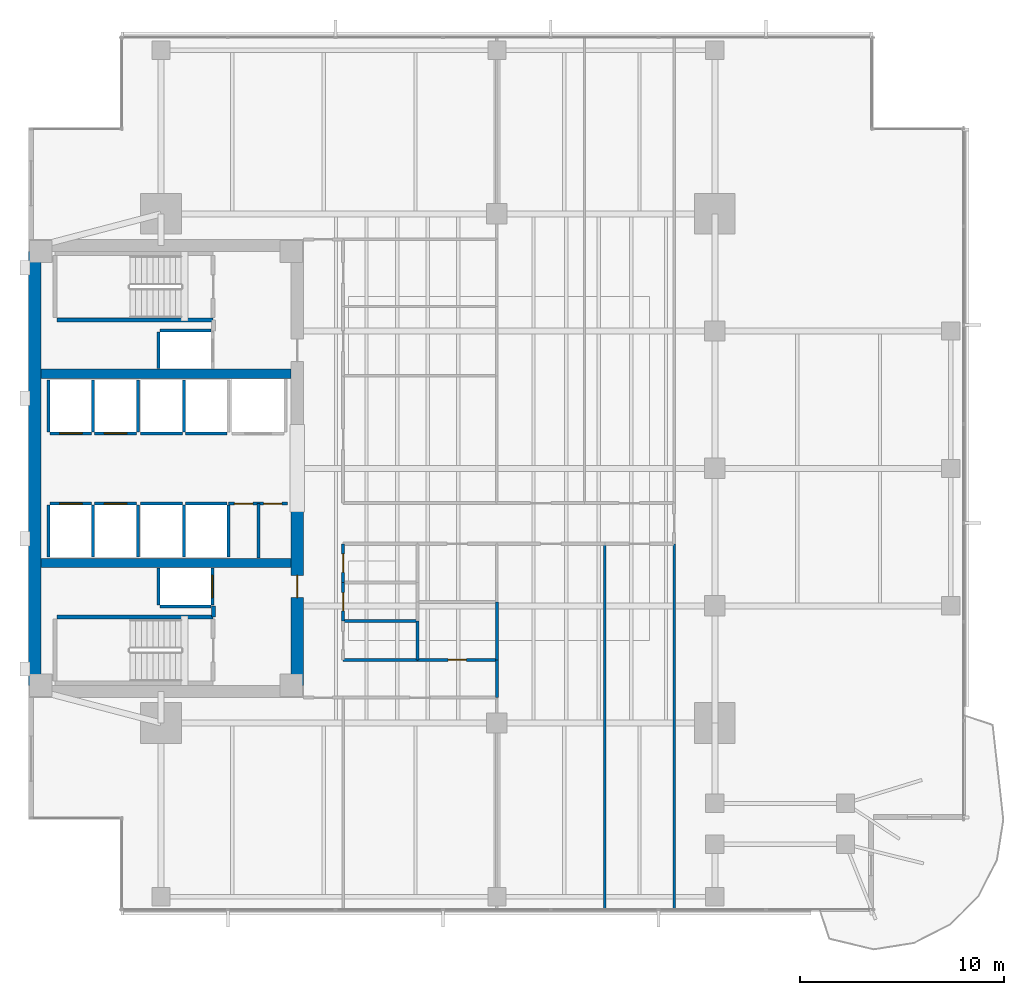
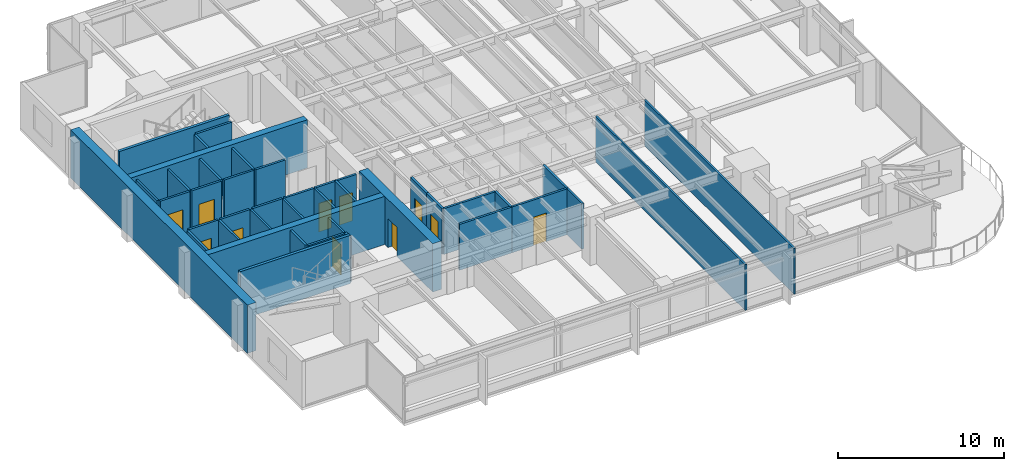
# One storey, part 8 of 14: 41 walls, 11 doors, 11 openings.
"""IFC4 building model written with IfcOpenShell, lengths in metres."""

from ifc_helpers import new_model, si_unit, direction, frame, frame_2d, origin, place, context, subcontext, project, spatial, rectangle, extrude, material, layer, layer_set, type_object, element, fill, save


model = new_model("IFC4")

# Units and contexts
model_context = context("Model", 3, precision=1e-05, world=origin(), true_north=direction((0.0, 1.0)))
body_context = subcontext(model_context, "Body", "Model", "MODEL_VIEW")
ifc_project = project(units=[si_unit("LENGTHUNIT", "METRE"), si_unit("AREAUNIT", "SQUARE_METRE"), si_unit("VOLUMEUNIT", "CUBIC_METRE"), si_unit("PLANEANGLEUNIT", "RADIAN"), si_unit("MASSUNIT", "GRAM", prefix="KILO")], contexts=[model_context])

# Site, building, storey
site_placement = place(None, origin())
site = spatial("IfcSite", under=ifc_project, at=site_placement, CompositionType="ELEMENT")
building_placement = place(site_placement, origin())
building = spatial("IfcBuilding", under=site, at=building_placement, Name="Kinhvarn Gate Tower", CompositionType="ELEMENT")
storey_placement = place(building_placement, frame((0.0, 0.0, 134.199951171875)))
storey = spatial("IfcBuildingStorey", under=building, at=storey_placement, Name="L35", CompositionType="ELEMENT", Elevation=134.199951171875)

# Walls
ifc_material_1 = material(Name="Concrete C50/60", Category="concrete")
ifc_layer_1 = layer(ifc_material_1, 0.449951171875)
ifc_layer_set_1 = layer_set([ifc_layer_1], Name="Concrete C50/60")
wall_type_1 = type_object("IfcWallType", Name="WL-CORE-450", PredefinedType="SHEAR", material=ifc_layer_set_1)
for number, where, z_axis, x_axis, name in (
    (1, (5.10009765625, 20.60009765625, 0.0), (0.0, 0.0, 1.0), (1.0, 0.0, 0.0), "Core South Spine Shear Wall L35 450 mm"),
    (2, (5.10009765625, 29.89990234375, 0.0), (0.0, 0.0, 1.0), (1.0, 0.0, 0.0), "Core North Spine Shear Wall L35 450 mm"),
):
    element("IfcWall", number, at=place(storey_placement, frame(where, z_axis=z_axis, x_axis=x_axis)), inside=storey, type_object=wall_type_1, Name=name, PredefinedType="SHEAR", context=body_context, shape_type="SweptSolid", body=[
        extrude(rectangle(XDim=12.2998046875, YDim=0.449951171875, at=frame_2d((6.14990234375, 0.0))), origin(), (0.0, 0.0, 1.0), 3.550048828125),
    ])

# Wall, opening, door
ifc_material_2 = material(Name="Concrete C60/75", Category="concrete")
ifc_layer_2 = layer(ifc_material_2, 0.60009765625)
ifc_layer_set_2 = layer_set([ifc_layer_2], Name="Concrete C60/75")
wall_type_2 = type_object("IfcWallType", Name="WL-CORE-600", PredefinedType="SHEAR", material=ifc_layer_set_2)
wall_1_placement = place(storey_placement, frame((17.699951171875, 14.60009765625, 0.0), z_axis=(0.0, 0.0, 1.0), x_axis=(0.0, 1.0, 0.0)))
wall_1 = element("IfcWall", 3, at=wall_1_placement, inside=storey, type_object=wall_type_2, Name="Core East-South Shear Pier L35 600 mm", PredefinedType="SHEAR", context=body_context, shape_type="SweptSolid", body=[
    extrude(rectangle(XDim=8.849853515625, YDim=0.60009765625, at=frame_2d((4.4248046875, 0.0))), origin(), (0.0, 0.0, 1.0), 3.550048828125),
])
opening_1_placement = place(wall_1_placement, frame((4.300048828125, 0.0, 0.0)))
opening_1 = element("IfcOpeningElement", 4, at=opening_1_placement, cuts=wall_1, Name="Opening FD-02", PredefinedType="OPENING", context=body_context, shape_type="SweptSolid", body=[
    extrude(rectangle(XDim=1.10009765625, YDim=2.14990234375, at=frame_2d((0.550048828125, 1.074951171875))), frame((0.0, 0.31005859375, 0.0), z_axis=(0.0, -1.0, 0.0), x_axis=(1.0, 0.0, 0.0)), (0.0, 0.0, 1.0), 0.6201171875),
])
ifc_material_3 = material(Name="Anodised aluminium AW-6063", Category="aluminium")
door_type_1 = type_object("IfcDoorType", Name="DR-FD-1100", OperationType="NOTDEFINED", PredefinedType="DOOR", material=ifc_material_3)
door_1_placement = place(opening_1_placement, origin())
door_1 = element("IfcDoor", 5, at=door_1_placement, inside=storey, type_object=door_type_1, Name="Firefighting Lobby Core Door (L35)", OperationType="SINGLE_SWING_RIGHT", OverallHeight=2.14990234375, OverallWidth=1.10009765625, PredefinedType="DOOR", context=body_context, shape_type="SweptSolid", body=[
    extrude(rectangle(XDim=1.10009765625, YDim=2.14990234375, at=frame_2d((0.550048828125, 1.074951171875))), frame((0.0, 0.02490234375, 0.0), z_axis=(0.0, -1.0, 0.0), x_axis=(1.0, 0.0, 0.0)), (0.0, 0.0, 1.0), 0.050048828125),
])
fill(opening_1, door_1)

# Walls
ifc_layer_3 = layer(ifc_material_2, 0.60009765625)
ifc_layer_set_3 = layer_set([ifc_layer_3], Name="Concrete C60/75")
wall_type_3 = type_object("IfcWallType", Name="WL-COREX-600", PredefinedType="SHEAR", material=ifc_layer_set_3)
wall_2_placement = place(storey_placement, frame((4.800048828125, 14.60009765625, 0.0), z_axis=(0.0, 0.0, 1.0), x_axis=(0.0, 1.0, 0.0)))
element("IfcWall", 6, at=wall_2_placement, inside=storey, type_object=wall_type_3, Name="Core West Shear Wall L35 600 mm", PredefinedType="SHEAR", context=body_context, shape_type="SweptSolid", body=[
    extrude(rectangle(XDim=21.2998046875, YDim=0.60009765625, at=frame_2d((10.64990234375, 0.0))), origin(), (0.0, 0.0, 1.0), 3.550048828125),
])
ifc_material_4 = material(Name="Gypsum acoustic partition board")
ifc_layer_4 = layer(ifc_material_4, 0.14990234375)
ifc_layer_set_4 = layer_set([ifc_layer_4], Name="Gypsum acoustic partition board")
wall_type_4 = type_object("IfcWallType", Name="WL-PLM-150", PredefinedType="PLUMBINGWALL", material=ifc_layer_set_4)
wall_3_placement = place(storey_placement, frame((19.949951171875, 17.75, 0.0), z_axis=(0.0, 0.0, 1.0), x_axis=(1.0, 0.0, 0.0)))
element("IfcWall", 7, at=wall_3_placement, inside=storey, type_object=wall_type_4, Name="Interior Partition PLW-150 (L35)", PredefinedType="PLUMBINGWALL", context=body_context, shape_type="SweptSolid", body=[
    extrude(rectangle(XDim=3.650146484375, YDim=0.14990234375, at=frame_2d((1.8251953125, 0.0))), origin(), (0.0, 0.0, 1.0), 3.3701171875),
])
wall_4_placement = place(storey_placement, frame((23.60009765625, 15.85009765625, 0.0), z_axis=(0.0, 0.0, 1.0), x_axis=(0.0, 1.0, 0.0)))
element("IfcWall", 8, at=wall_4_placement, inside=storey, type_object=wall_type_4, Name="Interior Partition PLW-150 (L35)", PredefinedType="PLUMBINGWALL", context=body_context, shape_type="SweptSolid", body=[
    extrude(rectangle(XDim=1.89990234375, YDim=0.14990234375, at=frame_2d((0.949951171875, 0.0))), origin(), (0.0, 0.0, 1.0), 3.3701171875),
])
wall_5_placement = place(storey_placement, frame((27.5, 15.85009765625, 0.0), z_axis=(0.0, 0.0, 1.0), x_axis=(0.0, 1.0, 0.0)))
element("IfcWall", 9, at=wall_5_placement, inside=storey, type_object=wall_type_4, Name="Interior Partition PLW-150 (L35)", PredefinedType="PLUMBINGWALL", context=body_context, shape_type="SweptSolid", body=[
    extrude(rectangle(XDim=2.849853515625, YDim=0.14990234375, at=frame_2d((1.4248046875, 0.0))), origin(), (0.0, 0.0, 1.0), 3.3701171875),
])

# Wall, opening, door
ifc_layer_5 = layer(ifc_material_4, 0.14990234375)
ifc_layer_set_5 = layer_set([ifc_layer_5], Name="Gypsum acoustic partition board")
wall_type_5 = type_object("IfcWallType", Name="WL-PLM-150F", PredefinedType="PLUMBINGWALL", material=ifc_layer_set_5)
wall_6_placement = place(storey_placement, frame((19.949951171875, 17.75, 0.0), z_axis=(0.0, 0.0, 1.0), x_axis=(0.0, 1.0, 0.0)))
wall_6 = element("IfcWall", 10, at=wall_6_placement, inside=storey, type_object=wall_type_5, Name="Interior Partition PLW-150F (L35)", PredefinedType="PLUMBINGWALL", context=body_context, shape_type="SweptSolid", body=[
    extrude(rectangle(XDim=1.89990234375, YDim=0.14990234375, at=frame_2d((0.949951171875, 0.0))), origin(), (0.0, 0.0, 1.0), 3.3701171875),
])
opening_2_placement = place(wall_6_placement, frame((0.5, 0.0, 0.0)))
opening_2 = element("IfcOpeningElement", 11, at=opening_2_placement, cuts=wall_6, Name="Opening FD-04", PredefinedType="OPENING", context=body_context, shape_type="SweptSolid", body=[
    extrude(rectangle(XDim=0.89990234375, YDim=2.10009765625, at=frame_2d((0.449951171875, 1.050048828125))), frame((0.0, 0.0849609375, 0.0), z_axis=(0.0, -1.0, 0.0), x_axis=(1.0, 0.0, 0.0)), (0.0, 0.0, 1.0), 0.169921875),
])
door_type_2 = type_object("IfcDoorType", Name="DR-FD-900", OperationType="NOTDEFINED", PredefinedType="DOOR", material=ifc_material_3)
door_2_placement = place(opening_2_placement, origin())
door_2 = element("IfcDoor", 12, at=door_2_placement, inside=storey, type_object=door_type_2, Name="Rated Riser & Service Closet Fire Door 900x2100 mm (L35)", OperationType="SINGLE_SWING_RIGHT", OverallHeight=2.10009765625, OverallWidth=0.89990234375, PredefinedType="DOOR", context=body_context, shape_type="SweptSolid", body=[
    extrude(rectangle(XDim=0.89990234375, YDim=2.10009765625, at=frame_2d((0.449951171875, 1.050048828125))), frame((0.0, 0.02490234375, 0.0), z_axis=(0.0, -1.0, 0.0), x_axis=(1.0, 0.0, 0.0)), (0.0, 0.0, 1.0), 0.050048828125),
])
fill(opening_2, door_2)

wall_7_placement = place(storey_placement, frame((19.949951171875, 19.64990234375, 0.0), z_axis=(0.0, 0.0, 1.0), x_axis=(0.0, 1.0, 0.0)))
wall_7 = element("IfcWall", 13, at=wall_7_placement, inside=storey, type_object=wall_type_5, Name="Interior Partition PLW-150F (L35)", PredefinedType="PLUMBINGWALL", context=body_context, shape_type="SweptSolid", body=[
    extrude(rectangle(XDim=1.900146484375, YDim=0.14990234375, at=frame_2d((0.9501953125, 0.0))), origin(), (0.0, 0.0, 1.0), 3.3701171875),
])
opening_3_placement = place(wall_7_placement, frame((0.5, 0.0, 0.0)))
opening_3 = element("IfcOpeningElement", 14, at=opening_3_placement, cuts=wall_7, Name="Opening FD-04", PredefinedType="OPENING", context=body_context, shape_type="SweptSolid", body=[
    extrude(rectangle(XDim=0.89990234375, YDim=2.10009765625, at=frame_2d((0.449951171875, 1.050048828125))), frame((0.0, 0.0849609375, 0.0), z_axis=(0.0, -1.0, 0.0), x_axis=(1.0, 0.0, 0.0)), (0.0, 0.0, 1.0), 0.169921875),
])
door_3_placement = place(opening_3_placement, origin())
door_3 = element("IfcDoor", 15, at=door_3_placement, inside=storey, type_object=door_type_2, Name="Rated Riser & Service Closet Fire Door 900x2100 mm (L35)", OperationType="SINGLE_SWING_LEFT", OverallHeight=2.10009765625, OverallWidth=0.89990234375, PredefinedType="DOOR", context=body_context, shape_type="SweptSolid", body=[
    extrude(rectangle(XDim=0.89990234375, YDim=2.10009765625, at=frame_2d((0.449951171875, 1.050048828125))), frame((0.0, 0.02490234375, 0.0), z_axis=(0.0, -1.0, 0.0), x_axis=(1.0, 0.0, 0.0)), (0.0, 0.0, 1.0), 0.050048828125),
])
fill(opening_3, door_3)

# Wall
wall_8_placement = place(storey_placement, frame((19.949951171875, 15.85009765625, 0.0), z_axis=(0.0, 0.0, 1.0), x_axis=(1.0, 0.0, 0.0)))
element("IfcWall", 16, at=wall_8_placement, inside=storey, type_object=wall_type_5, Name="Interior Partition PLW-150F (L35)", PredefinedType="PLUMBINGWALL", context=body_context, shape_type="SweptSolid", body=[
    extrude(rectangle(XDim=3.650146484375, YDim=0.14990234375, at=frame_2d((1.8251953125, 0.0))), origin(), (0.0, 0.0, 1.0), 3.3701171875),
])

# Wall, opening, door
wall_9_placement = place(storey_placement, frame((23.60009765625, 15.85009765625, 0.0), z_axis=(0.0, 0.0, 1.0), x_axis=(1.0, 0.0, 0.0)))
wall_9 = element("IfcWall", 17, at=wall_9_placement, inside=storey, type_object=wall_type_5, Name="Interior Partition PLW-150F (L35)", PredefinedType="PLUMBINGWALL", context=body_context, shape_type="SweptSolid", body=[
    extrude(rectangle(XDim=3.89990234375, YDim=0.14990234375, at=frame_2d((1.949951171875, 0.0))), origin(), (0.0, 0.0, 1.0), 3.3701171875),
])
opening_4_placement = place(wall_9_placement, frame((1.5, 0.0, 0.0)))
opening_4 = element("IfcOpeningElement", 18, at=opening_4_placement, cuts=wall_9, Name="Opening FD-04", PredefinedType="OPENING", context=body_context, shape_type="SweptSolid", body=[
    extrude(rectangle(XDim=0.89990234375, YDim=2.10009765625, at=frame_2d((0.449951171875, 1.050048828125))), frame((0.0, 0.0849609375, 0.0), z_axis=(0.0, -1.0, 0.0), x_axis=(1.0, 0.0, 0.0)), (0.0, 0.0, 1.0), 0.169921875),
])
door_4_placement = place(opening_4_placement, origin())
door_4 = element("IfcDoor", 19, at=door_4_placement, inside=storey, type_object=door_type_2, Name="Rated Riser & Service Closet Fire Door 900x2100 mm (L35)", OperationType="SINGLE_SWING_LEFT", OverallHeight=2.10009765625, OverallWidth=0.89990234375, PredefinedType="DOOR", context=body_context, shape_type="SweptSolid", body=[
    extrude(rectangle(XDim=0.89990234375, YDim=2.10009765625, at=frame_2d((0.449951171875, 1.050048828125))), frame((0.0, 0.02490234375, 0.0), z_axis=(0.0, -1.0, 0.0), x_axis=(1.0, 0.0, 0.0)), (0.0, 0.0, 1.0), 0.050048828125),
])
fill(opening_4, door_4)

# Walls
ifc_layer_6 = layer(ifc_material_4, 0.1201171875)
ifc_layer_set_6 = layer_set([ifc_layer_6], Name="Gypsum acoustic partition board")
wall_type_6 = type_object("IfcWallType", Name="WL-PRT-120", PredefinedType="PARTITIONING", material=ifc_layer_set_6)
for number, where, z_axis, x_axis, name in (
    (20, (32.800048828125, 3.510009765625, 0.0), (0.0, 0.0, 1.0), (0.0, 1.0, 0.0), "Interior Partition PW-120 (L35)"),
    (21, (36.199951171875, 3.510009765625, 0.0), (0.0, 0.0, 1.0), (0.0, 1.0, 0.0), "Interior Partition PW-120 (L35)"),
):
    element("IfcWall", number, at=place(storey_placement, frame(where, z_axis=z_axis, x_axis=x_axis)), inside=storey, type_object=wall_type_6, Name=name, PredefinedType="PARTITIONING", context=body_context, shape_type="SweptSolid", body=[
        extrude(rectangle(XDim=18.0400390625, YDim=0.1201171875, at=frame_2d((9.02001953125, 0.0))), origin(), (0.0, 0.0, 1.0), 3.3701171875),
    ])
ifc_layer_7 = layer(ifc_material_4, 0.14990234375)
ifc_layer_set_7 = layer_set([ifc_layer_7], Name="Gypsum acoustic partition board")
wall_type_7 = type_object("IfcWallType", Name="WL-PRT-150F", PredefinedType="PARTITIONING", material=ifc_layer_set_7)
wall_10_placement = place(storey_placement, frame((15.800048828125, 20.85009765625, 0.0), z_axis=(0.0, 0.0, 1.0), x_axis=(0.0, 1.0, 0.0)))
element("IfcWall", 22, at=wall_10_placement, inside=storey, type_object=wall_type_7, Name="Interior Partition PW-150F (L35)", PredefinedType="PARTITIONING", context=body_context, shape_type="SweptSolid", body=[
    extrude(rectangle(XDim=2.669921875, YDim=0.14990234375, at=frame_2d((1.3349609375, 0.0))), origin(), (0.0, 0.0, 1.0), 3.3701171875),
])

# Wall, openings, doors
wall_11_placement = place(storey_placement, frame((14.330078125, 23.52001953125, 0.0), z_axis=(0.0, 0.0, 1.0), x_axis=(1.0, 0.0, 0.0)))
wall_11 = element("IfcWall", 23, at=wall_11_placement, inside=storey, type_object=wall_type_7, Name="Interior Partition PW-150F (L35)", PredefinedType="PARTITIONING", context=body_context, shape_type="SweptSolid", body=[
    extrude(rectangle(XDim=2.889892578125, YDim=0.14990234375, at=frame_2d((1.44482421875, 0.0))), origin(), (0.0, 0.0, 1.0), 3.3701171875),
])
opening_5_placement = place(wall_11_placement, frame((0.280029296875, 0.0, 0.0)))
opening_5 = element("IfcOpeningElement", 24, at=opening_5_placement, cuts=wall_11, Name="Opening FD-04", PredefinedType="OPENING", context=body_context, shape_type="SweptSolid", body=[
    extrude(rectangle(XDim=0.89990234375, YDim=2.10009765625, at=frame_2d((0.449951171875, 1.050048828125))), frame((0.0, 0.0849609375, 0.0), z_axis=(0.0, -1.0, 0.0), x_axis=(1.0, 0.0, 0.0)), (0.0, 0.0, 1.0), 0.169921875),
])
opening_6_placement = place(wall_11_placement, frame((1.7099609375, 0.0, 0.0)))
opening_6 = element("IfcOpeningElement", 25, at=opening_6_placement, cuts=wall_11, Name="Opening FD-04", PredefinedType="OPENING", context=body_context, shape_type="SweptSolid", body=[
    extrude(rectangle(XDim=0.89990234375, YDim=2.10009765625, at=frame_2d((0.449951171875, 1.050048828125))), frame((0.0, 0.0849609375, 0.0), z_axis=(0.0, -1.0, 0.0), x_axis=(1.0, 0.0, 0.0)), (0.0, 0.0, 1.0), 0.169921875),
])
door_5_placement = place(opening_5_placement, origin())
door_5 = element("IfcDoor", 26, at=door_5_placement, inside=storey, type_object=door_type_2, Name="Rated Riser & Service Closet Fire Door 900x2100 mm (L35)", OperationType="SINGLE_SWING_LEFT", OverallHeight=2.10009765625, OverallWidth=0.89990234375, PredefinedType="DOOR", context=body_context, shape_type="SweptSolid", body=[
    extrude(rectangle(XDim=0.89990234375, YDim=2.10009765625, at=frame_2d((0.449951171875, 1.050048828125))), frame((0.0, 0.02490234375, 0.0), z_axis=(0.0, -1.0, 0.0), x_axis=(1.0, 0.0, 0.0)), (0.0, 0.0, 1.0), 0.050048828125),
])
fill(opening_5, door_5)
door_6_placement = place(opening_6_placement, origin())
door_6 = element("IfcDoor", 27, at=door_6_placement, inside=storey, type_object=door_type_2, Name="Rated Riser & Service Closet Fire Door 900x2100 mm (L35)", OperationType="SINGLE_SWING_RIGHT", OverallHeight=2.10009765625, OverallWidth=0.89990234375, PredefinedType="DOOR", context=body_context, shape_type="SweptSolid", body=[
    extrude(rectangle(XDim=0.89990234375, YDim=2.10009765625, at=frame_2d((0.449951171875, 1.050048828125))), frame((0.0, 0.02490234375, 0.0), z_axis=(0.0, -1.0, 0.0), x_axis=(1.0, 0.0, 0.0)), (0.0, 0.0, 1.0), 0.050048828125),
])
fill(opening_6, door_6)

# Walls
wall_12_placement = place(storey_placement, frame((27.5, 14.0, 0.0), z_axis=(0.0, 0.0, 1.0), x_axis=(0.0, 1.0, 0.0)))
element("IfcWall", 28, at=wall_12_placement, inside=storey, type_object=wall_type_7, Name="Interior Partition PW-150F (L35)", PredefinedType="PARTITIONING", context=body_context, shape_type="SweptSolid", body=[
    extrude(rectangle(XDim=1.85009765625, YDim=0.14990234375, at=frame_2d((0.925048828125, 0.0))), origin(), (0.0, 0.0, 1.0), 3.3701171875),
])
ifc_layer_8 = layer(ifc_material_4, 0.199951171875)
ifc_layer_set_8 = layer_set([ifc_layer_8], Name="Gypsum acoustic partition board")
wall_type_8 = type_object("IfcWallType", Name="WL-PRT-200", PredefinedType="PARTITIONING", material=ifc_layer_set_8)
wall_13_placement = place(storey_placement, frame((13.580078125, 17.9599609375, 0.0), z_axis=(0.0, 0.0, 1.0), x_axis=(0.0, 1.0, 0.0)))
element("IfcWall", 29, at=wall_13_placement, inside=storey, type_object=wall_type_8, Name="Interior Partition PW-200 (L35)", PredefinedType="PARTITIONING", context=body_context, shape_type="SweptSolid", body=[
    extrude(rectangle(XDim=0.5400390625, YDim=0.199951171875, at=frame_2d((0.27001953125, 0.0))), origin(), (0.0, 0.0, 1.0), 3.3701171875),
])

# Wall, opening, door
ifc_layer_9 = layer(ifc_material_4, 0.14990234375)
ifc_layer_set_9 = layer_set([ifc_layer_9], Name="Gypsum acoustic partition board")
wall_type_9 = type_object("IfcWallType", Name="WL-SHF-150", PredefinedType="PARTITIONING", material=ifc_layer_set_9)
wall_14_placement = place(storey_placement, frame((5.550048828125, 23.52490234375, 0.0), z_axis=(0.0, 0.0, 1.0), x_axis=(1.0, 0.0, 0.0)))
wall_14 = element("IfcWall", 30, at=wall_14_placement, inside=storey, type_object=wall_type_9, Name="Elevator PM-05 Landing Wall (L35)", PredefinedType="PARTITIONING", context=body_context, shape_type="SweptSolid", body=[
    extrude(rectangle(XDim=2.050048828125, YDim=0.14990234375, at=frame_2d((1.02490234375, 0.0))), origin(), (0.0, 0.0, 1.0), 3.3701171875),
])
opening_7_placement = place(wall_14_placement, frame((0.47509765625, 0.0, 0.0)))
opening_7 = element("IfcOpeningElement", 31, at=opening_7_placement, cuts=wall_14, Name="Opening LD-01", PredefinedType="OPENING", context=body_context, shape_type="SweptSolid", body=[
    extrude(rectangle(XDim=1.10009765625, YDim=2.199951171875, at=frame_2d((0.550048828125, 1.10009765625))), frame((0.0, 0.0849609375, 0.0), z_axis=(0.0, -1.0, 0.0), x_axis=(1.0, 0.0, 0.0)), (0.0, 0.0, 1.0), 0.169921875),
])
door_type_3 = type_object("IfcDoorType", Name="DR-LND-PAS", OperationType="NOTDEFINED", PredefinedType="DOOR", material=ifc_material_3)
door_7_placement = place(opening_7_placement, origin())
door_7 = element("IfcDoor", 32, at=door_7_placement, inside=storey, type_object=door_type_3, Name="Elevator PM-05 Sliding Landing Door (L35)", OperationType="DOUBLE_DOOR_SLIDING", OverallHeight=2.199951171875, OverallWidth=1.10009765625, PredefinedType="DOOR", context=body_context, shape_type="SweptSolid", body=[
    extrude(rectangle(XDim=1.10009765625, YDim=2.199951171875, at=frame_2d((0.550048828125, 1.10009765625))), frame((0.0, 0.02490234375, 0.0), z_axis=(0.0, -1.0, 0.0), x_axis=(1.0, 0.0, 0.0)), (0.0, 0.0, 1.0), 0.050048828125),
])
fill(opening_7, door_7)

# Walls
for number, where, z_axis, x_axis, name in (
    (33, (5.47509765625, 20.89990234375, 0.0), (0.0, 0.0, 1.0), (0.0, 1.0, 0.0), "Elevator PM-05 Hoistway Wall W (L35)"),
    (34, (7.675048828125, 20.89990234375, 0.0), (0.0, 0.0, 1.0), (0.0, 1.0, 0.0), "Elevator PM-05 Hoistway Wall E (L35)"),
):
    element("IfcWall", number, at=place(storey_placement, frame(where, z_axis=z_axis, x_axis=x_axis)), inside=storey, type_object=wall_type_9, Name=name, PredefinedType="PARTITIONING", context=body_context, shape_type="SweptSolid", body=[
        extrude(rectangle(XDim=2.550048828125, YDim=0.14990234375, at=frame_2d((1.27490234375, 0.0))), origin(), (0.0, 0.0, 1.0), 3.3701171875),
    ])

# Wall, opening, door
wall_15_placement = place(storey_placement, frame((7.75, 23.52490234375, 0.0), z_axis=(0.0, 0.0, 1.0), x_axis=(1.0, 0.0, 0.0)))
wall_15 = element("IfcWall", 35, at=wall_15_placement, inside=storey, type_object=wall_type_9, Name="Elevator PM-06 Landing Wall (L35)", PredefinedType="PARTITIONING", context=body_context, shape_type="SweptSolid", body=[
    extrude(rectangle(XDim=2.050048828125, YDim=0.14990234375, at=frame_2d((1.02490234375, 0.0))), origin(), (0.0, 0.0, 1.0), 3.3701171875),
])
opening_8_placement = place(wall_15_placement, frame((0.47509765625, 0.0, 0.0)))
opening_8 = element("IfcOpeningElement", 36, at=opening_8_placement, cuts=wall_15, Name="Opening LD-01", PredefinedType="OPENING", context=body_context, shape_type="SweptSolid", body=[
    extrude(rectangle(XDim=1.10009765625, YDim=2.199951171875, at=frame_2d((0.550048828125, 1.10009765625))), frame((0.0, 0.0849609375, 0.0), z_axis=(0.0, -1.0, 0.0), x_axis=(1.0, 0.0, 0.0)), (0.0, 0.0, 1.0), 0.169921875),
])
door_8_placement = place(opening_8_placement, origin())
door_8 = element("IfcDoor", 37, at=door_8_placement, inside=storey, type_object=door_type_3, Name="Elevator PM-06 Sliding Landing Door (L35)", OperationType="DOUBLE_DOOR_SLIDING", OverallHeight=2.199951171875, OverallWidth=1.10009765625, PredefinedType="DOOR", context=body_context, shape_type="SweptSolid", body=[
    extrude(rectangle(XDim=1.10009765625, YDim=2.199951171875, at=frame_2d((0.550048828125, 1.10009765625))), frame((0.0, 0.02490234375, 0.0), z_axis=(0.0, -1.0, 0.0), x_axis=(1.0, 0.0, 0.0)), (0.0, 0.0, 1.0), 0.050048828125),
])
fill(opening_8, door_8)

# Wall
wall_16_placement = place(storey_placement, frame((9.875, 20.89990234375, 0.0), z_axis=(0.0, 0.0, 1.0), x_axis=(0.0, 1.0, 0.0)))
element("IfcWall", 38, at=wall_16_placement, inside=storey, type_object=wall_type_9, Name="Elevator PM-06 Hoistway Wall E (L35)", PredefinedType="PARTITIONING", context=body_context, shape_type="SweptSolid", body=[
    extrude(rectangle(XDim=2.550048828125, YDim=0.14990234375, at=frame_2d((1.27490234375, 0.0))), origin(), (0.0, 0.0, 1.0), 3.3701171875),
])

# Wall, opening, door
wall_17_placement = place(storey_placement, frame((5.550048828125, 26.97509765625, 0.0), z_axis=(0.0, 0.0, 1.0), x_axis=(1.0, 0.0, 0.0)))
wall_17 = element("IfcWall", 39, at=wall_17_placement, inside=storey, type_object=wall_type_9, Name="Elevator PM-07 Landing Wall (L35)", PredefinedType="PARTITIONING", context=body_context, shape_type="SweptSolid", body=[
    extrude(rectangle(XDim=2.050048828125, YDim=0.14990234375, at=frame_2d((1.02490234375, 0.0))), origin(), (0.0, 0.0, 1.0), 3.3701171875),
])
opening_9_placement = place(wall_17_placement, frame((0.47509765625, 0.0, 0.0)))
opening_9 = element("IfcOpeningElement", 40, at=opening_9_placement, cuts=wall_17, Name="Opening LD-01", PredefinedType="OPENING", context=body_context, shape_type="SweptSolid", body=[
    extrude(rectangle(XDim=1.10009765625, YDim=2.199951171875, at=frame_2d((0.550048828125, 1.10009765625))), frame((0.0, 0.0849609375, 0.0), z_axis=(0.0, -1.0, 0.0), x_axis=(1.0, 0.0, 0.0)), (0.0, 0.0, 1.0), 0.169921875),
])
door_9_placement = place(opening_9_placement, origin())
door_9 = element("IfcDoor", 41, at=door_9_placement, inside=storey, type_object=door_type_3, Name="Elevator PM-07 Sliding Landing Door (L35)", OperationType="DOUBLE_DOOR_SLIDING", OverallHeight=2.199951171875, OverallWidth=1.10009765625, PredefinedType="DOOR", context=body_context, shape_type="SweptSolid", body=[
    extrude(rectangle(XDim=1.10009765625, YDim=2.199951171875, at=frame_2d((0.550048828125, 1.10009765625))), frame((0.0, 0.02490234375, 0.0), z_axis=(0.0, -1.0, 0.0), x_axis=(1.0, 0.0, 0.0)), (0.0, 0.0, 1.0), 0.050048828125),
])
fill(opening_9, door_9)

# Walls
for number, where, z_axis, x_axis, name in (
    (42, (5.47509765625, 27.050048828125, 0.0), (0.0, 0.0, 1.0), (0.0, 1.0, 0.0), "Elevator PM-07 Hoistway Wall W (L35)"),
    (43, (7.675048828125, 27.050048828125, 0.0), (0.0, 0.0, 1.0), (0.0, 1.0, 0.0), "Elevator PM-07 Hoistway Wall E (L35)"),
):
    element("IfcWall", number, at=place(storey_placement, frame(where, z_axis=z_axis, x_axis=x_axis)), inside=storey, type_object=wall_type_9, Name=name, PredefinedType="PARTITIONING", context=body_context, shape_type="SweptSolid", body=[
        extrude(rectangle(XDim=2.550048828125, YDim=0.14990234375, at=frame_2d((1.27490234375, 0.0))), origin(), (0.0, 0.0, 1.0), 3.3701171875),
    ])

# Wall, opening, door
wall_18_placement = place(storey_placement, frame((7.75, 26.97509765625, 0.0), z_axis=(0.0, 0.0, 1.0), x_axis=(1.0, 0.0, 0.0)))
wall_18 = element("IfcWall", 44, at=wall_18_placement, inside=storey, type_object=wall_type_9, Name="Elevator PM-08 Landing Wall (L35)", PredefinedType="PARTITIONING", context=body_context, shape_type="SweptSolid", body=[
    extrude(rectangle(XDim=2.050048828125, YDim=0.14990234375, at=frame_2d((1.02490234375, 0.0))), origin(), (0.0, 0.0, 1.0), 3.3701171875),
])
opening_10_placement = place(wall_18_placement, frame((0.47509765625, 0.0, 0.0)))
opening_10 = element("IfcOpeningElement", 45, at=opening_10_placement, cuts=wall_18, Name="Opening LD-01", PredefinedType="OPENING", context=body_context, shape_type="SweptSolid", body=[
    extrude(rectangle(XDim=1.10009765625, YDim=2.199951171875, at=frame_2d((0.550048828125, 1.10009765625))), frame((0.0, 0.0849609375, 0.0), z_axis=(0.0, -1.0, 0.0), x_axis=(1.0, 0.0, 0.0)), (0.0, 0.0, 1.0), 0.169921875),
])
door_10_placement = place(opening_10_placement, origin())
door_10 = element("IfcDoor", 46, at=door_10_placement, inside=storey, type_object=door_type_3, Name="Elevator PM-08 Sliding Landing Door (L35)", OperationType="DOUBLE_DOOR_SLIDING", OverallHeight=2.199951171875, OverallWidth=1.10009765625, PredefinedType="DOOR", context=body_context, shape_type="SweptSolid", body=[
    extrude(rectangle(XDim=1.10009765625, YDim=2.199951171875, at=frame_2d((0.550048828125, 1.10009765625))), frame((0.0, 0.02490234375, 0.0), z_axis=(0.0, -1.0, 0.0), x_axis=(1.0, 0.0, 0.0)), (0.0, 0.0, 1.0), 0.050048828125),
])
fill(opening_10, door_10)

# Walls
wall_19_placement = place(storey_placement, frame((9.875, 27.050048828125, 0.0), z_axis=(0.0, 0.0, 1.0), x_axis=(0.0, 1.0, 0.0)))
element("IfcWall", 47, at=wall_19_placement, inside=storey, type_object=wall_type_9, Name="Elevator PM-08 Hoistway Wall E (L35)", PredefinedType="PARTITIONING", context=body_context, shape_type="SweptSolid", body=[
    extrude(rectangle(XDim=2.550048828125, YDim=0.14990234375, at=frame_2d((1.27490234375, 0.0))), origin(), (0.0, 0.0, 1.0), 3.3701171875),
])
wall_20_placement = place(storey_placement, frame((10.0, 23.52490234375, 0.0), z_axis=(0.0, 0.0, 1.0), x_axis=(1.0, 0.0, 0.0)))
element("IfcWall", 48, at=wall_20_placement, inside=storey, type_object=wall_type_9, Name="Elevator PH-09 Landing Wall (L35)", PredefinedType="PARTITIONING", context=body_context, shape_type="SweptSolid", body=[
    extrude(rectangle(XDim=2.050048828125, YDim=0.14990234375, at=frame_2d((1.02490234375, 0.0))), origin(), (0.0, 0.0, 1.0), 3.3701171875),
])
wall_21_placement = place(storey_placement, frame((12.125, 20.89990234375, 0.0), z_axis=(0.0, 0.0, 1.0), x_axis=(0.0, 1.0, 0.0)))
element("IfcWall", 49, at=wall_21_placement, inside=storey, type_object=wall_type_9, Name="Elevator PH-09 Hoistway Wall E (L35)", PredefinedType="PARTITIONING", context=body_context, shape_type="SweptSolid", body=[
    extrude(rectangle(XDim=2.550048828125, YDim=0.14990234375, at=frame_2d((1.27490234375, 0.0))), origin(), (0.0, 0.0, 1.0), 3.3701171875),
])
wall_22_placement = place(storey_placement, frame((12.199951171875, 23.52490234375, 0.0), z_axis=(0.0, 0.0, 1.0), x_axis=(1.0, 0.0, 0.0)))
element("IfcWall", 50, at=wall_22_placement, inside=storey, type_object=wall_type_9, Name="Elevator PH-10 Landing Wall (L35)", PredefinedType="PARTITIONING", context=body_context, shape_type="SweptSolid", body=[
    extrude(rectangle(XDim=2.050048828125, YDim=0.14990234375, at=frame_2d((1.02490234375, 0.0))), origin(), (0.0, 0.0, 1.0), 3.3701171875),
])
wall_23_placement = place(storey_placement, frame((14.324951171875, 20.89990234375, 0.0), z_axis=(0.0, 0.0, 1.0), x_axis=(0.0, 1.0, 0.0)))
element("IfcWall", 51, at=wall_23_placement, inside=storey, type_object=wall_type_9, Name="Elevator PH-10 Hoistway Wall E (L35)", PredefinedType="PARTITIONING", context=body_context, shape_type="SweptSolid", body=[
    extrude(rectangle(XDim=2.550048828125, YDim=0.14990234375, at=frame_2d((1.27490234375, 0.0))), origin(), (0.0, 0.0, 1.0), 3.3701171875),
])
wall_24_placement = place(storey_placement, frame((10.0, 26.97509765625, 0.0), z_axis=(0.0, 0.0, 1.0), x_axis=(1.0, 0.0, 0.0)))
element("IfcWall", 52, at=wall_24_placement, inside=storey, type_object=wall_type_9, Name="Elevator PH-11 Landing Wall (L35)", PredefinedType="PARTITIONING", context=body_context, shape_type="SweptSolid", body=[
    extrude(rectangle(XDim=2.050048828125, YDim=0.14990234375, at=frame_2d((1.02490234375, 0.0))), origin(), (0.0, 0.0, 1.0), 3.3701171875),
])
wall_25_placement = place(storey_placement, frame((12.125, 27.050048828125, 0.0), z_axis=(0.0, 0.0, 1.0), x_axis=(0.0, 1.0, 0.0)))
element("IfcWall", 53, at=wall_25_placement, inside=storey, type_object=wall_type_9, Name="Elevator PH-11 Hoistway Wall E (L35)", PredefinedType="PARTITIONING", context=body_context, shape_type="SweptSolid", body=[
    extrude(rectangle(XDim=2.550048828125, YDim=0.14990234375, at=frame_2d((1.27490234375, 0.0))), origin(), (0.0, 0.0, 1.0), 3.3701171875),
])
wall_26_placement = place(storey_placement, frame((12.199951171875, 26.97509765625, 0.0), z_axis=(0.0, 0.0, 1.0), x_axis=(1.0, 0.0, 0.0)))
element("IfcWall", 54, at=wall_26_placement, inside=storey, type_object=wall_type_9, Name="Elevator PH-12 Landing Wall (L35)", PredefinedType="PARTITIONING", context=body_context, shape_type="SweptSolid", body=[
    extrude(rectangle(XDim=2.050048828125, YDim=0.14990234375, at=frame_2d((1.02490234375, 0.0))), origin(), (0.0, 0.0, 1.0), 3.3701171875),
])
wall_27_placement = place(storey_placement, frame((10.949951171875, 18.47509765625, 0.0), z_axis=(0.0, 0.0, 1.0), x_axis=(1.0, 0.0, 0.0)))
element("IfcWall", 55, at=wall_27_placement, inside=storey, type_object=wall_type_9, Name="Elevator FF1 Hoistway Wall S (L35)", PredefinedType="PARTITIONING", context=body_context, shape_type="SweptSolid", body=[
    extrude(rectangle(XDim=2.5, YDim=0.14990234375, at=frame_2d((1.25, 0.0))), origin(), (0.0, 0.0, 1.0), 3.3701171875),
])
wall_28_placement = place(storey_placement, frame((10.875, 18.550048828125, 0.0), z_axis=(0.0, 0.0, 1.0), x_axis=(0.0, 1.0, 0.0)))
element("IfcWall", 56, at=wall_28_placement, inside=storey, type_object=wall_type_9, Name="Elevator FF1 Hoistway Wall W (L35)", PredefinedType="PARTITIONING", context=body_context, shape_type="SweptSolid", body=[
    extrude(rectangle(XDim=1.800048828125, YDim=0.14990234375, at=frame_2d((0.89990234375, 0.0))), origin(), (0.0, 0.0, 1.0), 3.3701171875),
])

# Wall, opening, door
wall_29_placement = place(storey_placement, frame((13.52490234375, 18.550048828125, 0.0), z_axis=(0.0, 0.0, 1.0), x_axis=(0.0, 1.0, 0.0)))
wall_29 = element("IfcWall", 57, at=wall_29_placement, inside=storey, type_object=wall_type_9, Name="Elevator FF1 Landing Wall (L35)", PredefinedType="PARTITIONING", context=body_context, shape_type="SweptSolid", body=[
    extrude(rectangle(XDim=1.800048828125, YDim=0.14990234375, at=frame_2d((0.89990234375, 0.0))), origin(), (0.0, 0.0, 1.0), 3.3701171875),
])
opening_11_placement = place(wall_29_placement, frame((0.35009765625, 0.0, 0.0)))
opening_11 = element("IfcOpeningElement", 58, at=opening_11_placement, cuts=wall_29, Name="Opening LD-03", PredefinedType="OPENING", context=body_context, shape_type="SweptSolid", body=[
    extrude(rectangle(XDim=1.10009765625, YDim=2.199951171875, at=frame_2d((0.550048828125, 1.10009765625))), frame((0.0, 0.0849609375, 0.0), z_axis=(0.0, -1.0, 0.0), x_axis=(1.0, 0.0, 0.0)), (0.0, 0.0, 1.0), 0.169921875),
])
door_type_4 = type_object("IfcDoorType", Name="DR-LND-FF", OperationType="NOTDEFINED", PredefinedType="DOOR", material=ifc_material_3)
door_11_placement = place(opening_11_placement, origin())
door_11 = element("IfcDoor", 59, at=door_11_placement, inside=storey, type_object=door_type_4, Name="Elevator FF1 Sliding Landing Door (L35)", OperationType="DOUBLE_DOOR_SLIDING", OverallHeight=2.199951171875, OverallWidth=1.10009765625, PredefinedType="DOOR", context=body_context, shape_type="SweptSolid", body=[
    extrude(rectangle(XDim=1.10009765625, YDim=2.199951171875, at=frame_2d((0.550048828125, 1.10009765625))), frame((0.0, 0.02490234375, 0.0), z_axis=(0.0, -1.0, 0.0), x_axis=(1.0, 0.0, 0.0)), (0.0, 0.0, 1.0), 0.050048828125),
])
fill(opening_11, door_11)

# Walls
wall_30_placement = place(storey_placement, frame((10.949951171875, 32.02490234375, 0.0), z_axis=(0.0, 0.0, 1.0), x_axis=(1.0, 0.0, 0.0)))
element("IfcWall", 60, at=wall_30_placement, inside=storey, type_object=wall_type_9, Name="Elevator FF2 Hoistway Wall N (L35)", PredefinedType="PARTITIONING", context=body_context, shape_type="SweptSolid", body=[
    extrude(rectangle(XDim=2.5, YDim=0.14990234375, at=frame_2d((1.25, 0.0))), origin(), (0.0, 0.0, 1.0), 3.3701171875),
])
wall_31_placement = place(storey_placement, frame((10.875, 30.14990234375, 0.0), z_axis=(0.0, 0.0, 1.0), x_axis=(0.0, 1.0, 0.0)))
element("IfcWall", 61, at=wall_31_placement, inside=storey, type_object=wall_type_9, Name="Elevator FF2 Hoistway Wall W (L35)", PredefinedType="PARTITIONING", context=body_context, shape_type="SweptSolid", body=[
    extrude(rectangle(XDim=1.800048828125, YDim=0.14990234375, at=frame_2d((0.89990234375, 0.0))), origin(), (0.0, 0.0, 1.0), 3.3701171875),
])
ifc_material_5 = material(Name="Concrete C40/50", Category="concrete")
ifc_layer_10 = layer(ifc_material_5, 0.199951171875)
ifc_layer_set_10 = layer_set([ifc_layer_10], Name="Concrete C40/50")
wall_type_10 = type_object("IfcWallType", Name="WL-SHF-200", PredefinedType="SOLIDWALL", material=ifc_layer_set_10)
for number, where, z_axis, x_axis, name in (
    (62, (5.89990234375, 17.9599609375, 0.0), (0.0, 0.0, 1.0), (1.0, 0.0, 0.0), "Stair ST1 North Shaft Wall (L35)"),
    (63, (5.89990234375, 32.5400390625, 0.0), (0.0, 0.0, 1.0), (1.0, 0.0, 0.0), "Stair ST2 South Shaft Wall (L35)"),
):
    element("IfcWall", number, at=place(storey_placement, frame(where, z_axis=z_axis, x_axis=x_axis)), inside=storey, type_object=wall_type_10, Name=name, PredefinedType="SOLIDWALL", context=body_context, shape_type="SweptSolid", body=[
        extrude(rectangle(XDim=7.66015625, YDim=0.199951171875, at=frame_2d((3.830078125, 0.0))), origin(), (0.0, 0.0, 1.0), 3.550048828125),
    ])

save(model, "model.ifc")
